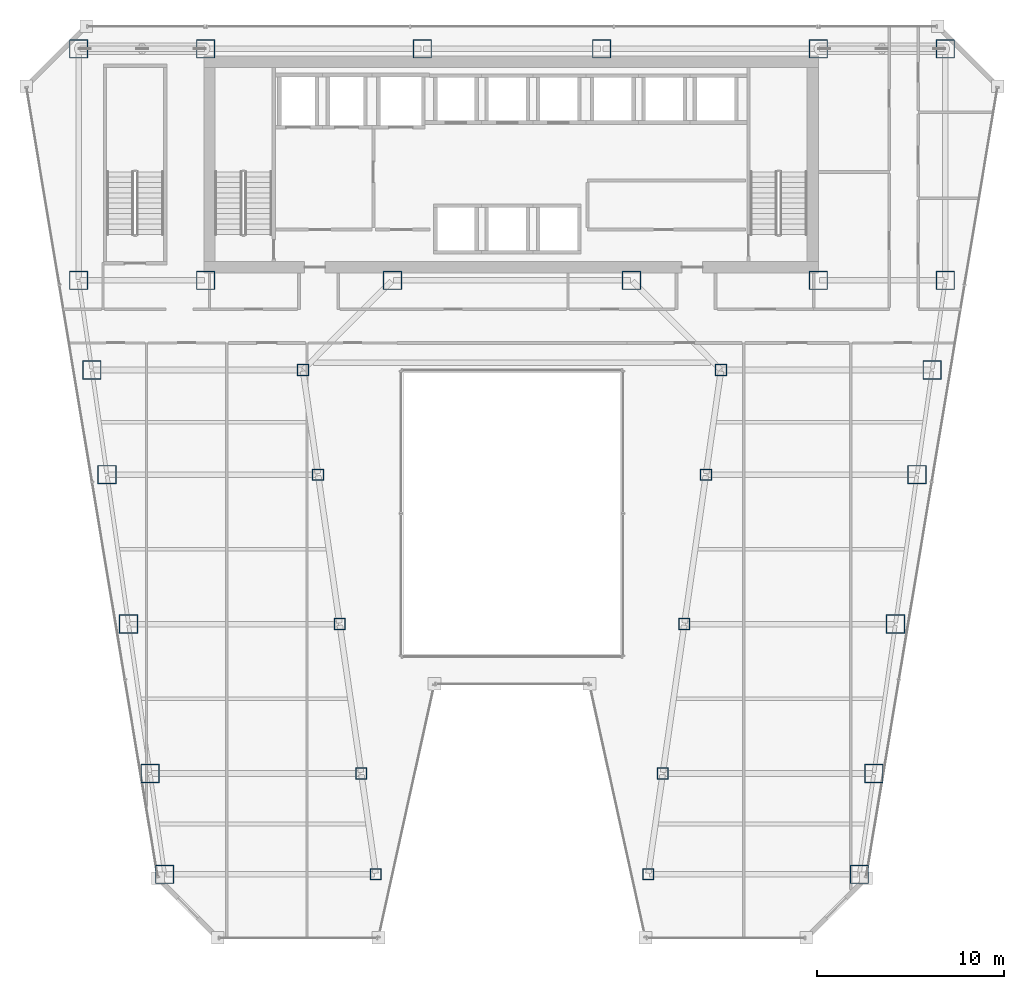
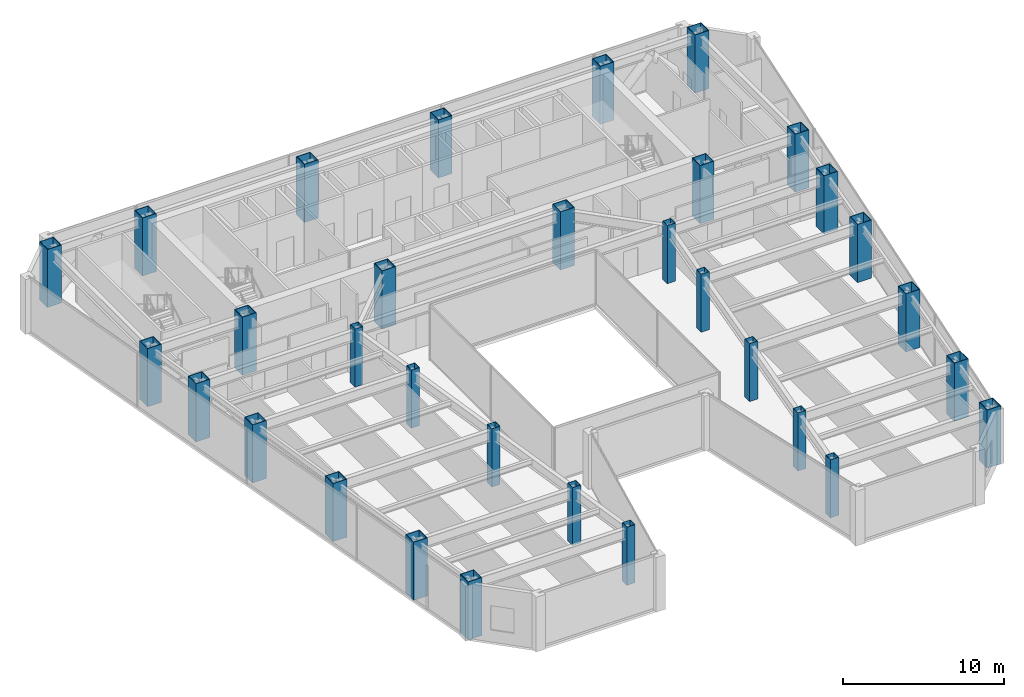
# One storey, part 1 of 37: 32 columns.
"""IFC4 building model written with IfcOpenShell, lengths in metres."""

import ifcopenshell
import ifcopenshell.guid

model = None  # the IFC model being written
_history = None  # IfcOwnerHistory: only IFC2X3 demands one
_inside = {}  # id of a spatial element -> (the spatial element, [elements in it])
_under = {}  # id of a project, library or spatial element -> (it, [spatial elements below it])
_declared = {}  # id of a project -> (the project, [libraries it declares])
_typed = {}  # id of a type object -> (the type object, [elements of that type])
_made_of = {}  # id of a material, layer set ... -> (it, [elements and type objects made of it])


def new_model(schema):
    """Start an empty IFC model of exactly this schema.

    Asked for "IFC4X3", IfcOpenShell would pick the latest addendum, in which some entities
    have other attributes; the version numbers below select the first issue.
    IFC2X3 requires an IfcOwnerHistory on every rooted entity: one is made here for all.
    """
    global model, _history
    if schema == "IFC4X3":
        model = ifcopenshell.file(schema_version=(4, 3, 0, 0))
    else:
        model = ifcopenshell.file(schema=schema)
    _inside.clear()
    _under.clear()
    _declared.clear()
    _typed.clear()
    _made_of.clear()
    _history = None
    if model.schema == "IFC2X3":
        org = make("IfcOrganization", Name="unknown")
        user = make(
            "IfcPersonAndOrganization",
            ThePerson=make("IfcPerson", FamilyName="unknown"),
            TheOrganization=org,
        )
        app = make(
            "IfcApplication",
            ApplicationDeveloper=org,
            Version="unknown",
            ApplicationFullName="unknown",
            ApplicationIdentifier="unknown",
        )
        _history = make(
            "IfcOwnerHistory",
            OwningUser=user,
            OwningApplication=app,
            ChangeAction="ADDED",
            CreationDate=0,
        )
    return model


def make(cls, **values):
    """One entity of the class cls with the attributes given. An attribute that is None is left unset."""
    return model.create_entity(
        cls, **{name: value for name, value in values.items() if value is not None}
    )


def rooted(cls, **values):
    """An entity with a GlobalId (a new one), such as an element, a storey or a relation."""
    return make(cls, GlobalId=ifcopenshell.guid.new(), OwnerHistory=_history, **values)


def si_unit(unit_type, name, prefix=None):
    """IfcSIUnit, for example si_unit("LENGTHUNIT", "METRE", prefix="MILLI")."""
    return make("IfcSIUnit", UnitType=unit_type, Prefix=prefix, Name=name)


def assignment(units):
    """IfcUnitAssignment: the units of a project."""
    return None if units is None else make("IfcUnitAssignment", Units=units)


def point(xyz):
    """IfcCartesianPoint."""
    return None if xyz is None else make("IfcCartesianPoint", Coordinates=xyz)


def direction(xyz):
    """IfcDirection."""
    return None if xyz is None else make("IfcDirection", DirectionRatios=xyz)


def frame(location, z_axis=None, x_axis=None):
    """IfcAxis2Placement3D, a coordinate frame: its origin and axes. An axis left out is left unset."""
    return make(
        "IfcAxis2Placement3D",
        Location=point(location),
        Axis=direction(z_axis),
        RefDirection=direction(x_axis),
    )


def frame_2d(location, x_axis=None):
    """IfcAxis2Placement2D, a coordinate frame in the plane: its origin and x axis."""
    return make(
        "IfcAxis2Placement2D", Location=point(location), RefDirection=direction(x_axis)
    )


def origin():
    """The frame at (0, 0, 0) with its axes left unset."""
    return frame((0.0, 0.0, 0.0))


def origin_2d():
    """The frame at (0, 0) in the plane with its x axis left unset."""
    return frame_2d((0.0, 0.0))


def place(relative_to, where):
    """IfcLocalPlacement: puts the frame where relative to a parent placement (None: the world)."""
    return make(
        "IfcLocalPlacement", PlacementRelTo=relative_to, RelativePlacement=where
    )


def context(
    kind, dimensions, precision=None, world=None, true_north=None, identifier=None
):
    """IfcGeometricRepresentationContext, for example the 3D "Model" context."""
    return make(
        "IfcGeometricRepresentationContext",
        ContextIdentifier=identifier,
        ContextType=kind,
        CoordinateSpaceDimension=dimensions,
        Precision=precision,
        WorldCoordinateSystem=world,
        TrueNorth=true_north,
    )


def subcontext(parent, identifier, kind, view, scale=None):
    """IfcGeometricRepresentationSubContext, for example "Body" below "Model"."""
    return make(
        "IfcGeometricRepresentationSubContext",
        ContextIdentifier=identifier,
        ContextType=kind,
        ParentContext=parent,
        TargetScale=scale,
        TargetView=view,
    )


def project(units=None, contexts=None):
    """IfcProject with its units and contexts."""
    return rooted(
        "IfcProject",
        Name="project",
        RepresentationContexts=contexts,
        UnitsInContext=assignment(units),
    )


def spatial(cls, under=None, at=None, **own):
    """A site, building, storey or space (cls), placed at a placement, below another one or the project."""
    s = rooted(cls, ObjectPlacement=at, **own)
    if under is not None:
        _under.setdefault(under.id(), (under, []))[1].append(s)
    return s


def profile(cls, at=None, kind="AREA", **sizes):
    """A parametric profile (cls). Its sizes go by their IFC names, for example OverallWidth=200.0."""
    return make(cls, ProfileType=kind, Position=at, **sizes)


def hollow_rectangle(**sizes):
    """IfcRectangleHollowProfileDef."""
    return profile("IfcRectangleHollowProfileDef", **sizes)


def extrude(swept, where, along, depth):
    """IfcExtrudedAreaSolid: the profile swept, set in the frame where, extruded along a direction by depth."""
    return make(
        "IfcExtrudedAreaSolid",
        SweptArea=swept,
        Position=where,
        ExtrudedDirection=direction(along),
        Depth=depth,
    )


def shape(context_of_items, identifier, shape_type, items):
    """IfcShapeRepresentation: the items that make up one representation, for example the "Body"."""
    return make(
        "IfcShapeRepresentation",
        ContextOfItems=context_of_items,
        RepresentationIdentifier=identifier,
        RepresentationType=shape_type,
        Items=items,
    )


def material(Name=None, Category=None):
    """IfcMaterial."""
    return make("IfcMaterial", Name=Name, Category=Category)


def material_profile(
    of_material, cross_section, Name=None, Category=None, Priority=None
):
    """IfcMaterialProfile: a cross section and its material."""
    return make(
        "IfcMaterialProfile",
        Name=Name,
        Material=of_material,
        Profile=cross_section,
        Priority=Priority,
        Category=Category,
    )


def profile_set(profiles, Name=None, composite=None):
    """IfcMaterialProfileSet."""
    return make(
        "IfcMaterialProfileSet",
        Name=Name,
        MaterialProfiles=profiles,
        CompositeProfile=composite,
    )


def made_of(thing, what):
    """Note that an element or type object is made of a material, layer set ...; save() writes the relation."""
    if what is not None:
        _made_of.setdefault(what.id(), (what, []))[1].append(thing)
    return thing


def type_object(cls, material=None, **own):
    """A type object (cls), such as IfcWallType, which elements share."""
    return made_of(rooted(cls, **own), material)


def element(
    cls,
    number,
    at=None,
    inside=None,
    cuts=None,
    type_object=None,
    material=None,
    context=None,
    identifier="Body",
    shape_type=None,
    held_by="IfcProductDefinitionShape",
    body=None,
    shapes=None,
    **own,
):
    """One element of the class cls, such as IfcWall. Its Tag is "e" and its number.

    at: its placement. inside: the storey or other place that contains it. cuts: it is an
    opening in that element (IfcRelVoidsElement). A single representation is given by context,
    identifier, shape_type and body (its items); several are given by shapes. held_by: the class
    of the entity that holds the representations. save() writes the other relations.
    """
    e = rooted(cls, Tag="e%d" % number, ObjectPlacement=at, **own)
    if body is not None:
        shapes = [shape(context, identifier, shape_type, body)]
    if shapes is not None:
        e.Representation = make(held_by, Representations=shapes)
    if inside is not None:
        _inside.setdefault(inside.id(), (inside, []))[1].append(e)
    if cuts is not None:
        rooted(
            "IfcRelVoidsElement", RelatingBuildingElement=cuts, RelatedOpeningElement=e
        )
    if type_object is not None:
        _typed.setdefault(type_object.id(), (type_object, []))[1].append(e)
    return made_of(e, material)


def aggregate(whole, parts):
    """IfcRelAggregates: a whole, such as a stair, and the parts it consists of."""
    return rooted("IfcRelAggregates", RelatingObject=whole, RelatedObjects=parts)


def save(model, path):
    """Write the relations noted so far, then the file.

    IfcRelAggregates (storeys below a building ...), IfcRelContainedInSpatialStructure (elements
    in a storey), IfcRelDefinesByType, IfcRelAssociatesMaterial and IfcRelDeclares: one each for
    every whole, place, type object, material and project.
    """
    for whole, parts in _under.values():
        aggregate(whole, parts)
    for where, things in _inside.values():
        rooted(
            "IfcRelContainedInSpatialStructure",
            RelatedElements=things,
            RelatingStructure=where,
        )
    for kind, things in _typed.values():
        rooted("IfcRelDefinesByType", RelatedObjects=things, RelatingType=kind)
    for what, things in _made_of.values():
        rooted("IfcRelAssociatesMaterial", RelatedObjects=things, RelatingMaterial=what)
    for by, libraries in _declared.values():
        rooted("IfcRelDeclares", RelatingContext=by, RelatedDefinitions=libraries)
    model.write(path)


model = new_model("IFC4")

# Units and contexts
model_context = context("Model", 3, precision=1e-05, world=origin(), true_north=direction((0.0, 1.0)))
body_context = subcontext(model_context, "Body", "Model", "MODEL_VIEW")
ifc_project = project(units=[si_unit("LENGTHUNIT", "METRE"), si_unit("AREAUNIT", "SQUARE_METRE"), si_unit("VOLUMEUNIT", "CUBIC_METRE"), si_unit("PLANEANGLEUNIT", "RADIAN"), si_unit("MASSUNIT", "GRAM", prefix="KILO")], contexts=[model_context])

# Site, building, storey
site_placement = place(None, origin())
site = spatial("IfcSite", under=ifc_project, at=site_placement, CompositionType="ELEMENT")
building_placement = place(site_placement, origin())
building = spatial("IfcBuilding", under=site, at=building_placement, Name="Saevonmaru Cultural Tower", CompositionType="ELEMENT")
storey_placement = place(building_placement, frame((0.0, 0.0, 114.800048828125)))
storey = spatial("IfcBuildingStorey", under=building, at=storey_placement, Name="L24", CompositionType="ELEMENT", Elevation=114.800048828125)

# Columns
ifc_material_1 = material(Name="Steel SM420", Category="steel")
ifc_material_profile_1 = material_profile(ifc_material_1, hollow_rectangle(XDim=1.0, YDim=1.0, WallThickness=0.044921875, at=origin_2d()), Name="BOX-1000x1000x45")
ifc_profile_set_1 = profile_set([ifc_material_profile_1], Name="Steel SM420")
column_type_1 = type_object("IfcColumnType", Name="COL-BOX-1000", PredefinedType="COLUMN", material=ifc_profile_set_1)
for number, where, z_axis, x_axis, name in (
    (1, (6.800048828125, 54.800048828125, 0.0), (0.0, 0.0, 1.0), (1.0, 0.0, 0.0), "L24 Column TC-N1N"),
    (2, (13.60009765625, 54.800048828125, 0.0), (0.0, 0.0, 1.0), (1.0, 0.0, 0.0), "L24 Column TC-N2N"),
    (3, (25.199951171875, 54.800048828125, 0.0), (0.0, 0.0, 1.0), (1.0, 0.0, 0.0), "L24 Column TC-N3N"),
    (4, (34.800048828125, 54.800048828125, 0.0), (0.0, 0.0, 1.0), (1.0, 0.0, 0.0), "L24 Column TC-N4N"),
    (5, (46.39990234375, 54.800048828125, 0.0), (0.0, 0.0, 1.0), (1.0, 0.0, 0.0), "L24 Column TC-N5N"),
    (6, (53.199951171875, 54.800048828125, 0.0), (0.0, 0.0, 1.0), (1.0, 0.0, 0.0), "L24 Column TC-N6N"),
    (7, (6.800048828125, 42.39990234375, 0.0), (0.0, 0.0, 1.0), (1.0, 0.0, 0.0), "L24 Column TC-S1C"),
    (8, (13.60009765625, 42.39990234375, 0.0), (0.0, 0.0, 1.0), (1.0, 0.0, 0.0), "L24 Column TC-S2C"),
    (9, (23.60009765625, 42.39990234375, 0.0), (0.0, 0.0, 1.0), (1.0, 0.0, 0.0), "L24 Column TC-S3C"),
    (10, (36.39990234375, 42.39990234375, 0.0), (0.0, 0.0, 1.0), (1.0, 0.0, 0.0), "L24 Column TC-S4C"),
    (11, (46.39990234375, 42.39990234375, 0.0), (0.0, 0.0, 1.0), (1.0, 0.0, 0.0), "L24 Column TC-S5C"),
    (12, (53.199951171875, 42.39990234375, 0.0), (0.0, 0.0, 1.0), (1.0, 0.0, 0.0), "L24 Column TC-S6C"),
    (13, (11.407958984375, 10.60009765625, 0.0), (0.0, 0.0, 1.0), (1.0, 0.0, 0.0), "L24 Column TC-WO-Y106"),
    (14, (48.592041015625, 10.60009765625, 0.0), (0.0, 0.0, 1.0), (1.0, 0.0, 0.0), "L24 Column TC-EO-Y106"),
    (15, (10.6279296875, 16.0, 0.0), (0.0, 0.0, 1.0), (1.0, 0.0, 0.0), "L24 Column TC-WO-Y160"),
    (16, (49.3720703125, 16.0, 0.0), (0.0, 0.0, 1.0), (1.0, 0.0, 0.0), "L24 Column TC-EO-Y160"),
    (17, (9.471923828125, 24.0, 0.0), (0.0, 0.0, 1.0), (1.0, 0.0, 0.0), "L24 Column TC-WO-Y240"),
    (18, (50.528076171875, 24.0, 0.0), (0.0, 0.0, 1.0), (1.0, 0.0, 0.0), "L24 Column TC-EO-Y240"),
    (19, (8.31689453125, 32.0, 0.0), (0.0, 0.0, 1.0), (1.0, 0.0, 0.0), "L24 Column TC-WO-Y320"),
    (20, (51.68310546875, 32.0, 0.0), (0.0, 0.0, 1.0), (1.0, 0.0, 0.0), "L24 Column TC-EO-Y320"),
    (21, (7.508056640625, 37.60009765625, 0.0), (0.0, 0.0, 1.0), (1.0, 0.0, 0.0), "L24 Column TC-WO-Y376"),
    (22, (52.491943359375, 37.60009765625, 0.0), (0.0, 0.0, 1.0), (1.0, 0.0, 0.0), "L24 Column TC-EO-Y376"),
):
    element("IfcColumn", number, at=place(storey_placement, frame(where, z_axis=z_axis, x_axis=x_axis)), inside=storey, type_object=column_type_1, Name=name, PredefinedType="COLUMN", context=body_context, shape_type="SweptSolid", body=[
        extrude(hollow_rectangle(XDim=1.0, YDim=1.0, WallThickness=0.044921875, at=origin_2d()), origin(), (0.0, 0.0, 1.0), 4.39990234375),
    ])
ifc_material_2 = material(Name="Steel SM355", Category="steel")
ifc_material_profile_2 = material_profile(ifc_material_2, hollow_rectangle(XDim=0.60009765625, YDim=0.60009765625, WallThickness=0.028076171875, at=origin_2d()), Name="BOX-600x600x28")
ifc_profile_set_2 = profile_set([ifc_material_profile_2], Name="Steel SM355")
column_type_2 = type_object("IfcColumnType", Name="COL-BOX-600", PredefinedType="COLUMN", material=ifc_profile_set_2)
for number, where, z_axis, x_axis, name in (
    (23, (22.7080078125, 10.60009765625, 0.0), (0.0, 0.0, 1.0), (1.0, 0.0, 0.0), "L24 Column TC-WI-Y106"),
    (24, (37.2919921875, 10.60009765625, 0.0), (0.0, 0.0, 1.0), (1.0, 0.0, 0.0), "L24 Column TC-EI-Y106"),
    (25, (21.927978515625, 16.0, 0.0), (0.0, 0.0, 1.0), (1.0, 0.0, 0.0), "L24 Column TC-WI-Y160"),
    (26, (38.072021484375, 16.0, 0.0), (0.0, 0.0, 1.0), (1.0, 0.0, 0.0), "L24 Column TC-EI-Y160"),
    (27, (20.77197265625, 24.0, 0.0), (0.0, 0.0, 1.0), (1.0, 0.0, 0.0), "L24 Column TC-WI-Y240"),
    (28, (39.22802734375, 24.0, 0.0), (0.0, 0.0, 1.0), (1.0, 0.0, 0.0), "L24 Column TC-EI-Y240"),
    (29, (19.616943359375, 32.0, 0.0), (0.0, 0.0, 1.0), (1.0, 0.0, 0.0), "L24 Column TC-WI-Y320"),
    (30, (40.383056640625, 32.0, 0.0), (0.0, 0.0, 1.0), (1.0, 0.0, 0.0), "L24 Column TC-EI-Y320"),
    (31, (18.80810546875, 37.60009765625, 0.0), (0.0, 0.0, 1.0), (1.0, 0.0, 0.0), "L24 Column TC-WI-Y376"),
    (32, (41.19189453125, 37.60009765625, 0.0), (0.0, 0.0, 1.0), (1.0, 0.0, 0.0), "L24 Column TC-EI-Y376"),
):
    element("IfcColumn", number, at=place(storey_placement, frame(where, z_axis=z_axis, x_axis=x_axis)), inside=storey, type_object=column_type_2, Name=name, PredefinedType="COLUMN", context=body_context, shape_type="SweptSolid", body=[
        extrude(hollow_rectangle(XDim=0.60009765625, YDim=0.60009765625, WallThickness=0.028076171875, at=origin_2d()), origin(), (0.0, 0.0, 1.0), 4.39990234375),
    ])

save(model, "model.ifc")
